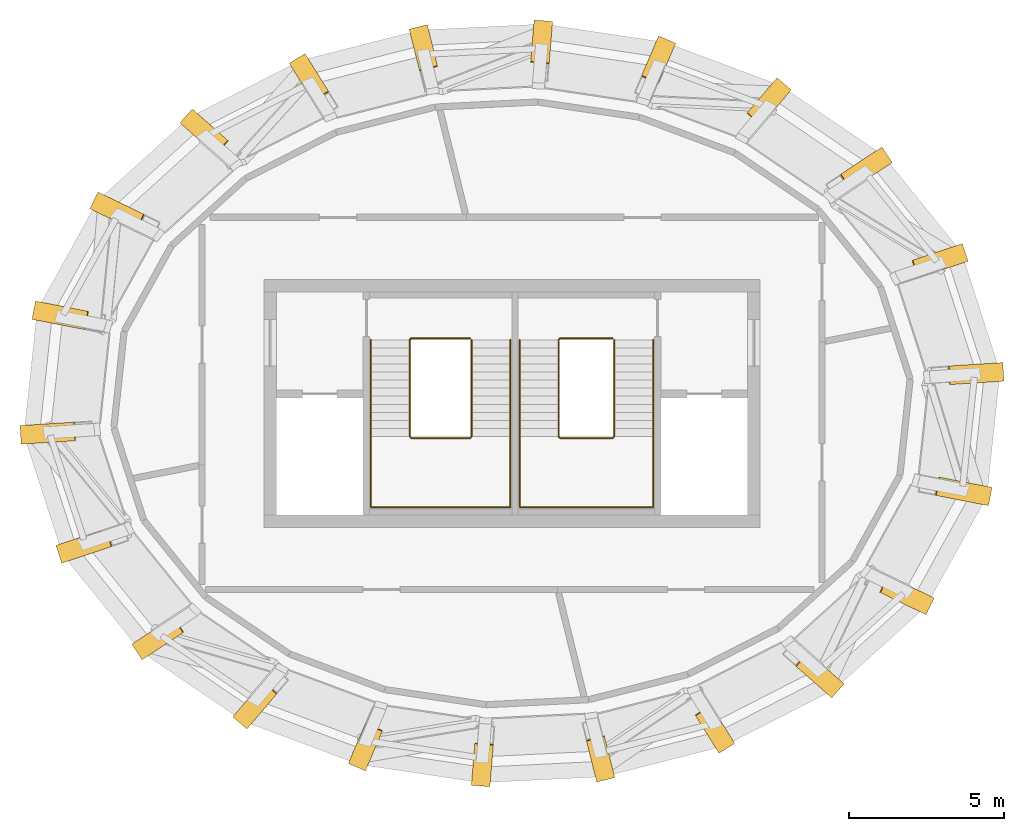
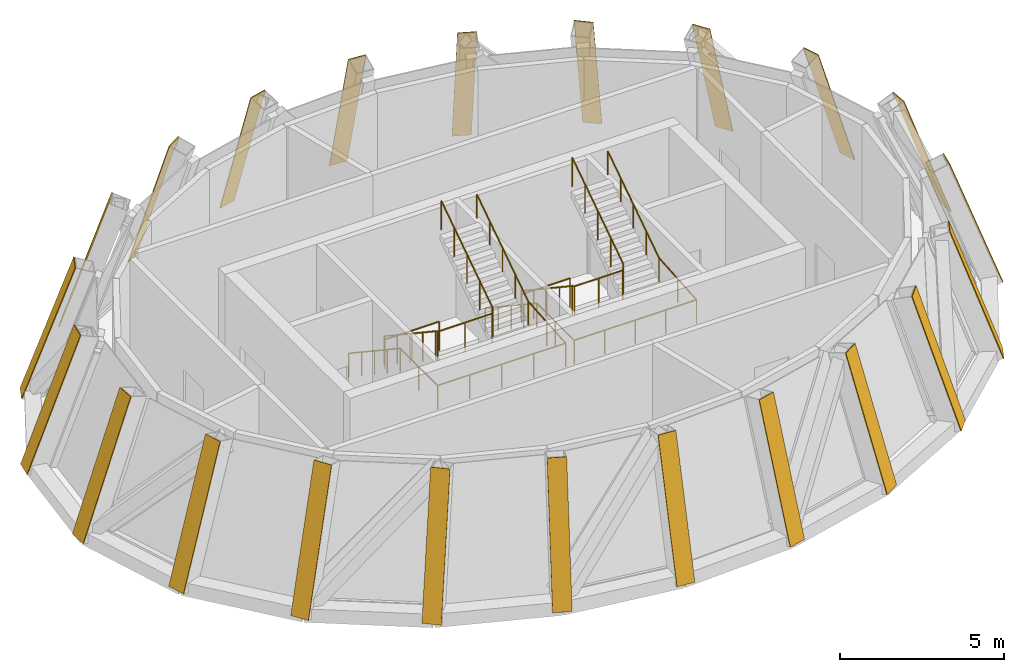
# One storey, part 6 of 6: 22 coverings, 4 railings.
"""IFC4 building model written with IfcOpenShell, lengths in metres."""

from ifc_helpers import new_model, si_unit, direction, frame, origin, origin_2d, place, context, subcontext, project, spatial, polyline, circle, outline, extrude, source, transform, mapped, material, layer, layer_set, type_object, element, save


model = new_model("IFC4")

# Units and contexts
model_context = context("Model", 3, precision=1e-05, world=origin(), true_north=direction((0.0, 1.0)))
body_context = subcontext(model_context, "Body", "Model", "MODEL_VIEW")
ifc_project = project(units=[si_unit("LENGTHUNIT", "METRE"), si_unit("AREAUNIT", "SQUARE_METRE"), si_unit("VOLUMEUNIT", "CUBIC_METRE"), si_unit("PLANEANGLEUNIT", "RADIAN"), si_unit("MASSUNIT", "GRAM", prefix="KILO")], contexts=[model_context])

# Site, building, storey
site_placement = place(None, origin())
site = spatial("IfcSite", under=ifc_project, at=site_placement, CompositionType="ELEMENT")
building_placement = place(site_placement, origin())
building = spatial("IfcBuilding", under=site, at=building_placement, Name="Embergate Tower", CompositionType="ELEMENT")
storey_placement = place(building_placement, frame((0.0, 0.0, 365.5)))
storey = spatial("IfcBuildingStorey", under=building, at=storey_placement, Name="L83", CompositionType="ELEMENT", Elevation=365.5)

# Coverings
ifc_material_1 = material(Name="Terracotta, extruded and fired", Category="masonry")
ifc_layer = layer(ifc_material_1, 0.030029296875)
ifc_layer_set = layer_set([ifc_layer], Name="Terracotta, extruded and fired")
covering_type = type_object("IfcCoveringType", Name="Terracotta hip facing", PredefinedType="CLADDING", material=ifc_layer_set)
shared_shape_1 = source(origin(), body_context, "Body", "SweptSolid", [
    extrude(outline(polyline([(0.0, 0.0), (4.985107421875, 0.0), (4.98486328125, -0.60009765625), (0.0, -0.60009765625), (0.0, 0.0)])), origin(), (0.0, 0.0, -1.0), 0.030029296875),
])
for number, where, z_axis, x_axis, name in (
    (1, (5.2802734375, 11.616943359375, -0.05224609375), (0.376708310402, 0.88354511392, 0.278278422702), (-0.109116612669, -0.255993058538, 0.960500452275), "Hip facing L83-HP04"),
    (2, (-5.2802734375, -11.616943359375, -0.05224609375), (-0.376708310402, -0.88354511392, 0.278278422702), (0.109116612669, 0.255993058538, 0.960500452275), "Hip facing L83-HP15"),
):
    element("IfcCovering", number, at=place(storey_placement, frame(where, z_axis=z_axis, x_axis=x_axis)), inside=storey, type_object=covering_type, Name=name, PredefinedType="CLADDING", context=body_context, shape_type="MappedRepresentation", body=[
        mapped(shared_shape_1, transform((0.0, 0.0, 0.0))),
    ])
shared_shape_2 = source(origin(), body_context, "Body", "SweptSolid", [
    extrude(outline(polyline([(0.0, 0.0), (4.9736328125, 0.0), (4.9736328125, -0.599853515625), (0.0, -0.60009765625), (0.0, 0.0)])), origin(), (0.0, 0.0, -1.0), 0.030029296875),
])
for number, where, z_axis, x_axis, name in (
    (3, (1.309814453125, 12.31640625, -0.0546875), (0.077954903001, 0.959550426637, 0.270529133067), (-0.021942127918, -0.269637823913, 0.962711788095), "Hip facing L83-HP05"),
    (4, (-1.309814453125, -12.31640625, -0.0546875), (-0.077954903001, -0.959550426637, 0.270529133067), (0.021942127918, 0.269637823913, 0.962711788095), "Hip facing L83-HP16"),
):
    element("IfcCovering", number, at=place(storey_placement, frame(where, z_axis=z_axis, x_axis=x_axis)), inside=storey, type_object=covering_type, Name=name, PredefinedType="CLADDING", context=body_context, shape_type="MappedRepresentation", body=[
        mapped(shared_shape_2, transform((0.0, 0.0, 0.0))),
    ])
shared_shape_3 = source(origin(), body_context, "Body", "SweptSolid", [
    extrude(outline(polyline([(0.0, 0.0), (5.08154296875, 0.0), (5.08154296875, -0.599853515625), (0.0, -0.599853515625), (0.0, 0.0)])), origin(), (0.0, 0.0, -1.0), 0.030029296875),
])
for number, where, z_axis, x_axis, name in (
    (5, (-15.368408203125, 3.2998046875, -0.029296875), (-0.923686792783, 0.179988719987, 0.338240697603), (0.33199173193, -0.064716767425, 0.94105963145), "Hip facing L83-HP10"),
    (6, (15.368408203125, -3.2998046875, -0.029296875), (0.923686792783, -0.179988719987, 0.338240697603), (-0.33199173193, 0.064716767425, 0.94105963145), "Hip facing L83-HP21"),
):
    element("IfcCovering", number, at=place(storey_placement, frame(where, z_axis=z_axis, x_axis=x_axis)), inside=storey, type_object=covering_type, Name=name, PredefinedType="CLADDING", context=body_context, shape_type="MappedRepresentation", body=[
        mapped(shared_shape_3, transform((0.0, 0.0, 0.0))),
    ])
shared_shape_4 = source(origin(), body_context, "Body", "SweptSolid", [
    extrude(outline(polyline([(0.0, 0.0), (5.039306640625, 0.0), (5.039306640625, -0.599853515625), (0.0, -0.599853515625), (0.0, 0.0)])), origin(), (0.0, 0.0, -1.0), 0.030029296875),
])
for number, where, z_axis, x_axis, name in (
    (7, (12.262939453125, 7.76904296875, -0.038330078125), (0.791196281225, 0.524631127883, 0.314277941052), (-0.261956253646, -0.173636251723, 0.949331013537), "Hip facing L83-HP02"),
    (8, (-12.262939453125, -7.76904296875, -0.038330078125), (-0.791196281225, -0.524631127883, 0.314277941052), (0.261956253646, 0.173636251723, 0.949331013537), "Hip facing L83-HP13"),
):
    element("IfcCovering", number, at=place(storey_placement, frame(where, z_axis=z_axis, x_axis=x_axis)), inside=storey, type_object=covering_type, Name=name, PredefinedType="CLADDING", context=body_context, shape_type="MappedRepresentation", body=[
        mapped(shared_shape_4, transform((0.0, 0.0, 0.0))),
    ])
shared_shape_5 = source(origin(), body_context, "Body", "SweptSolid", [
    extrude(outline(polyline([(0.0, 0.0), (5.08740234375, 0.0), (5.08740234375, -0.599853515625), (0.0, -0.60009765625), (0.0, 0.0)])), origin(), (0.0, 0.0, -1.0), 0.030029296875),
])
for number, where, z_axis, x_axis, name in (
    (9, (15.86865234375, 0.71728515625, -0.0283203125), (0.9380274958, 0.060049058854, 0.341318806476), (-0.340622757818, -0.021786803687, 0.93994759005), "Hip facing L83-HP00"),
    (10, (-15.86865234375, -0.71728515625, -0.0283203125), (-0.9380274958, -0.060049058854, 0.341318806476), (0.340622757818, 0.021786803687, 0.93994759005), "Hip facing L83-HP11"),
):
    element("IfcCovering", number, at=place(storey_placement, frame(where, z_axis=z_axis, x_axis=x_axis)), inside=storey, type_object=covering_type, Name=name, PredefinedType="CLADDING", context=body_context, shape_type="MappedRepresentation", body=[
        mapped(shared_shape_5, transform((0.0, 0.0, 0.0))),
    ])
shared_shape_6 = source(origin(), body_context, "Body", "SweptSolid", [
    extrude(outline(polyline([(0.0, 0.0), (5.0693359375, 0.0), (5.0693359375, -0.599853515625), (0.0, -0.599853515625), (0.0, 0.0)])), origin(), (0.0, 0.0, -1.0), 0.030029296875),
])
for number, where, z_axis, x_axis, name in (
    (11, (14.711181640625, 4.5830078125, -0.031494140625), (0.894787386122, 0.298646326213, 0.331912496717), (-0.314822006097, -0.105133308752, 0.943310177973), "Hip facing L83-HP01"),
    (12, (-14.711181640625, -4.5830078125, -0.031494140625), (-0.894787386122, -0.298646326213, 0.331912496717), (0.314822006097, 0.105133308752, 0.943310177973), "Hip facing L83-HP12"),
):
    element("IfcCovering", number, at=place(storey_placement, frame(where, z_axis=z_axis, x_axis=x_axis)), inside=storey, type_object=covering_type, Name=name, PredefinedType="CLADDING", context=body_context, shape_type="MappedRepresentation", body=[
        mapped(shared_shape_6, transform((0.0, 0.0, 0.0))),
    ])
shared_shape_7 = source(origin(), body_context, "Body", "SweptSolid", [
    extrude(outline(polyline([(0.0, 0.0), (5.00830078125, 0.0), (5.00830078125, -0.60009765625), (0.0, -0.599853515625), (0.0, 0.0)])), origin(), (0.0, 0.0, -1.0), 0.030029296875),
])
for number, where, z_axis, x_axis, name in (
    (13, (9.005859375, 10.111572265625, -0.045654296875), (0.619589115498, 0.727487439659, 0.29473946647), (-0.191074251033, -0.22441476189, 0.955577650031), "Hip facing L83-HP03"),
    (14, (-9.005859375, -10.111572265625, -0.045654296875), (-0.619589115498, -0.727487439659, 0.29473946647), (0.191074251033, 0.22441476189, 0.955577650031), "Hip facing L83-HP14"),
):
    element("IfcCovering", number, at=place(storey_placement, frame(where, z_axis=z_axis, x_axis=x_axis)), inside=storey, type_object=covering_type, Name=name, PredefinedType="CLADDING", context=body_context, shape_type="MappedRepresentation", body=[
        mapped(shared_shape_7, transform((0.0, 0.0, 0.0))),
    ])
shared_shape_8 = source(origin(), body_context, "Body", "SweptSolid", [
    extrude(outline(polyline([(0.0, 0.0), (4.977783203125, 0.0), (4.977783203125, -0.60009765625), (0.0, -0.599853515625), (0.0, 0.0)])), origin(), (0.0, 0.0, -1.0), 0.030029296875),
])
for number, where, z_axis, x_axis, name in (
    (15, (-2.732666015625, 12.21240234375, -0.0537109375), (-0.232509082287, 0.933363479316, 0.273444952656), (0.066112403375, -0.265332418805, 0.961887653342), "Hip facing L83-HP06"),
    (16, (2.732666015625, -12.21240234375, -0.0537109375), (0.232509082287, -0.933363479316, 0.273444952656), (-0.066112403375, 0.265332418805, 0.961887653342), "Hip facing L83-HP17"),
):
    element("IfcCovering", number, at=place(storey_placement, frame(where, z_axis=z_axis, x_axis=x_axis)), inside=storey, type_object=covering_type, Name=name, PredefinedType="CLADDING", context=body_context, shape_type="MappedRepresentation", body=[
        mapped(shared_shape_8, transform((0.0, 0.0, 0.0))),
    ])
shared_shape_9 = source(origin(), body_context, "Body", "SweptSolid", [
    extrude(outline(polyline([(0.0, 0.0), (4.996337890625, 0.0), (4.996337890625, -0.60009765625), (0.0, -0.60009765625), (0.0, 0.0)])), origin(), (0.0, 0.0, -1.0), 0.030029296875),
])
for number, where, z_axis, x_axis, name in (
    (17, (-6.677001953125, 11.2841796875, -0.0498046875), (-0.507444962052, 0.81292565953, 0.285747235446), (0.151318347136, -0.24239274015, 0.958305023123), "Hip facing L83-HP07"),
    (18, (6.677001953125, -11.2841796875, -0.0498046875), (0.507444962052, -0.81292565953, 0.285747235446), (-0.151318347136, 0.24239274015, 0.958305023123), "Hip facing L83-HP18"),
):
    element("IfcCovering", number, at=place(storey_placement, frame(where, z_axis=z_axis, x_axis=x_axis)), inside=storey, type_object=covering_type, Name=name, PredefinedType="CLADDING", context=body_context, shape_type="MappedRepresentation", body=[
        mapped(shared_shape_9, transform((0.0, 0.0, 0.0))),
    ])
shared_shape_10 = source(origin(), body_context, "Body", "SweptSolid", [
    extrude(outline(polyline([(0.0, 0.0), (5.02392578125, 0.0), (5.02392578125, -0.60009765625), (0.0, -0.599853515625), (0.0, 0.0)])), origin(), (0.0, 0.0, -1.0), 0.030029296875),
])
for number, where, z_axis, x_axis, name in (
    (19, (-10.313232421875, 9.496826171875, -0.04248046875), (-0.714251359489, 0.630324401915, 0.304197540783), (0.228117268886, -0.201242783596, 0.95260897208), "Hip facing L83-HP08"),
    (20, (10.313232421875, -9.496826171875, -0.04248046875), (0.714251359489, -0.630324401915, 0.304197540783), (-0.228117268886, 0.201242783596, 0.95260897208), "Hip facing L83-HP19"),
):
    element("IfcCovering", number, at=place(storey_placement, frame(where, z_axis=z_axis, x_axis=x_axis)), inside=storey, type_object=covering_type, Name=name, PredefinedType="CLADDING", context=body_context, shape_type="MappedRepresentation", body=[
        mapped(shared_shape_10, transform((0.0, 0.0, 0.0))),
    ])
shared_shape_11 = source(origin(), body_context, "Body", "SweptSolid", [
    extrude(outline(polyline([(0.0, 0.0), (5.056396484375, 0.0), (5.056396484375, -0.60009765625), (0.0, -0.599853515625), (0.0, 0.0)])), origin(), (0.0, 0.0, -1.0), 0.030029296875),
])
for number, where, z_axis, x_axis, name in (
    (21, (-13.35498046875, 6.817138671875, -0.03515625), (-0.85113652659, 0.413150641498, 0.323841258233), (0.291350967488, -0.141378130762, 0.946111429952), "Hip facing L83-HP09"),
    (22, (13.35498046875, -6.817138671875, -0.03515625), (0.85113652659, -0.413150641498, 0.323841258233), (-0.291350967488, 0.141378130762, 0.946111429952), "Hip facing L83-HP20"),
):
    element("IfcCovering", number, at=place(storey_placement, frame(where, z_axis=z_axis, x_axis=x_axis)), inside=storey, type_object=covering_type, Name=name, PredefinedType="CLADDING", context=body_context, shape_type="MappedRepresentation", body=[
        mapped(shared_shape_11, transform((0.0, 0.0, 0.0))),
    ])

# Railings
ifc_material_2 = material(Name="Stair guard 1100")
railing_type_1 = type_object("IfcRailingType", Name="Stair guard 1100", PredefinedType="GUARDRAIL", material=ifc_material_2)
shared_shape_12 = source(origin(), body_context, "Body", "SweptSolid", [
    extrude(circle(Radius=0.02392578125, at=origin_2d()), frame((0.0, 0.0, 1.076171875), z_axis=(-1.0, 0.0, 0.0), x_axis=(0.0, -1.0, 0.0)), (0.0, 0.0, 1.0), 1.699951171875),
    extrude(circle(Radius=0.02392578125, at=origin_2d()), frame((-1.699951171875, 0.0, 1.076171875), z_axis=(-0.267629722418, -0.267629722418, 0.925607186314), x_axis=(0.707106781187, -0.707106781187, 0.0)), (0.0, 0.0, 1.0), 0.18701171875),
    extrude(circle(Radius=0.02392578125, at=origin_2d()), frame((-1.75, -0.050048828125, 1.2490234375), z_axis=(0.0, -0.83244090515, 0.554113832559), x_axis=(1.0, 0.0, 0.0)), (0.0, 0.0, 1.0), 3.748046875),
    extrude(circle(Radius=0.02392578125, at=origin_2d()), frame((-1.75, -3.170166015625, 3.326171875), z_axis=(0.707106781187, -0.707106781187, 0.0), x_axis=(0.707106781187, 0.707106781187, 0.0)), (0.0, 0.0, 1.0), 0.07080078125),
    extrude(circle(Radius=0.02392578125, at=origin_2d()), frame((-1.699951171875, -3.22021484375, 3.326171875), z_axis=(1.0, 0.0, 0.0), x_axis=(0.0, 1.0, 0.0)), (0.0, 0.0, 1.0), 1.699951171875),
    extrude(circle(Radius=0.02392578125, at=origin_2d()), frame((0.0, -3.22021484375, 3.326171875), z_axis=(0.267629722418, 0.267629722418, 0.925607186314), x_axis=(-0.707106781187, 0.707106781187, 0.0)), (0.0, 0.0, 1.0), 0.18701171875),
    extrude(circle(Radius=0.02392578125, at=origin_2d()), frame((0.050048828125, -3.170166015625, 3.4990234375), z_axis=(0.0, 0.83244090515, 0.554113832559), x_axis=(-1.0, 0.0, 0.0)), (0.0, 0.0, 1.0), 3.748046875),
    extrude(circle(Radius=0.02099609375, at=origin_2d()), origin(), (0.0, 0.0, 1.0), 1.052001953125),
    extrude(circle(Radius=0.02099609375, at=origin_2d()), frame((-0.85009765625, 0.0, 0.0)), (0.0, 0.0, 1.0), 1.052001953125),
    extrude(circle(Radius=0.02099609375, at=origin_2d()), frame((-1.699951171875, 0.0, 0.0)), (0.0, 0.0, 1.0), 1.052001953125),
    extrude(circle(Radius=0.02099609375, at=origin_2d()), frame((-1.75, -0.050048828125, 0.173095703125)), (0.0, 0.0, 1.0), 1.052001953125),
    extrude(circle(Radius=0.02099609375, at=origin_2d()), frame((-1.75, -0.830078125, 0.6923828125)), (0.0, 0.0, 1.0), 1.052001953125),
    extrude(circle(Radius=0.02099609375, at=origin_2d()), frame((-1.75, -1.610107421875, 1.21142578125)), (0.0, 0.0, 1.0), 1.052001953125),
    extrude(circle(Radius=0.02099609375, at=origin_2d()), frame((-1.75, -2.39013671875, 1.730712890625)), (0.0, 0.0, 1.0), 1.052001953125),
    extrude(circle(Radius=0.02099609375, at=origin_2d()), frame((-1.75, -3.170166015625, 2.25)), (0.0, 0.0, 1.0), 1.052001953125),
    extrude(circle(Radius=0.02099609375, at=origin_2d()), frame((-1.699951171875, -3.22021484375, 2.25)), (0.0, 0.0, 1.0), 1.052001953125),
    extrude(circle(Radius=0.02099609375, at=origin_2d()), frame((-0.85009765625, -3.22021484375, 2.25)), (0.0, 0.0, 1.0), 1.052001953125),
    extrude(circle(Radius=0.02099609375, at=origin_2d()), frame((0.0, -3.22021484375, 2.25)), (0.0, 0.0, 1.0), 1.052001953125),
    extrude(circle(Radius=0.02099609375, at=origin_2d()), frame((0.050048828125, -3.170166015625, 2.423095703125)), (0.0, 0.0, 1.0), 1.052001953125),
    extrude(circle(Radius=0.02099609375, at=origin_2d()), frame((0.050048828125, -2.39013671875, 2.9423828125)), (0.0, 0.0, 1.0), 1.052001953125),
    extrude(circle(Radius=0.02099609375, at=origin_2d()), frame((0.050048828125, -1.610107421875, 3.46142578125)), (0.0, 0.0, 1.0), 1.052001953125),
    extrude(circle(Radius=0.02099609375, at=origin_2d()), frame((0.050048828125, -0.830078125, 3.980712890625)), (0.0, 0.0, 1.0), 1.052001953125),
    extrude(circle(Radius=0.02099609375, at=origin_2d()), frame((0.050048828125, -0.050048828125, 4.5)), (0.0, 0.0, 1.0), 1.052001953125),
])
railing_1_placement = place(storey_placement, frame((3.25, 2.10009765625, 0.0)))
element("IfcRailing", 23, at=railing_1_placement, inside=storey, type_object=railing_type_1, Name="L83 ST1 stair guard 1", PredefinedType="GUARDRAIL", context=body_context, shape_type="MappedRepresentation", body=[
    mapped(shared_shape_12, transform((0.0, 0.0, 0.0))),
])
ifc_material_3 = material(Name="Stair handrail 900")
railing_type_2 = type_object("IfcRailingType", Name="Stair handrail 900", PredefinedType="HANDRAIL", material=ifc_material_3)
shared_shape_13 = source(origin(), body_context, "Body", "SweptSolid", [
    extrude(circle(Radius=0.02392578125, at=origin_2d()), frame((0.0, 0.0, 0.8759765625), z_axis=(0.0, -0.83244090515, 0.554113832559), x_axis=(1.0, 0.0, 0.0)), (0.0, 0.0, 1.0), 3.748046875),
    extrude(circle(Radius=0.02392578125, at=origin_2d()), frame((0.0, -3.1201171875, 2.95263671875), z_axis=(0.0, -1.0, 0.0), x_axis=(1.0, 0.0, 0.0)), (0.0, 0.0, 1.0), 2.280029296875),
    extrude(circle(Radius=0.02392578125, at=origin_2d()), frame((0.0, -5.400146484375, 2.95263671875), z_axis=(1.0, 0.0, 0.0), x_axis=(0.0, 1.0, 0.0)), (0.0, 0.0, 1.0), 4.300048828125),
    extrude(circle(Radius=0.02392578125, at=origin_2d()), frame((4.300048828125, -5.400146484375, 2.95263671875), z_axis=(0.0, 0.997130611527, 0.075700353739), x_axis=(-1.0, 0.0, 0.0)), (0.0, 0.0, 1.0), 2.28662109375),
    extrude(circle(Radius=0.02392578125, at=origin_2d()), frame((4.300048828125, -3.1201171875, 3.1259765625), z_axis=(0.0, 0.83244090515, 0.554113832559), x_axis=(-1.0, 0.0, 0.0)), (0.0, 0.0, 1.0), 3.748046875),
    extrude(circle(Radius=0.02099609375, at=origin_2d()), origin(), (0.0, 0.0, 1.0), 0.851806640625),
    extrude(circle(Radius=0.02099609375, at=origin_2d()), frame((0.0, -0.780029296875, 0.519287109375)), (0.0, 0.0, 1.0), 0.851806640625),
    extrude(circle(Radius=0.02099609375, at=origin_2d()), frame((0.0, -1.56005859375, 1.03857421875)), (0.0, 0.0, 1.0), 0.851806640625),
    extrude(circle(Radius=0.02099609375, at=origin_2d()), frame((0.0, -2.340087890625, 1.5576171875)), (0.0, 0.0, 1.0), 0.851806640625),
    extrude(circle(Radius=0.02099609375, at=origin_2d()), frame((0.0, -3.1201171875, 2.076904296875)), (0.0, 0.0, 1.0), 0.851806640625),
    extrude(circle(Radius=0.02099609375, at=origin_2d()), frame((0.0, -4.26025390625, 2.076904296875)), (0.0, 0.0, 1.0), 0.851806640625),
    extrude(circle(Radius=0.02099609375, at=origin_2d()), frame((0.0, -5.400146484375, 2.076904296875)), (0.0, 0.0, 1.0), 0.851806640625),
    extrude(circle(Radius=0.02099609375, at=origin_2d()), frame((1.074951171875, -5.400146484375, 2.076904296875)), (0.0, 0.0, 1.0), 0.851806640625),
    extrude(circle(Radius=0.02099609375, at=origin_2d()), frame((2.14990234375, -5.400146484375, 2.076904296875)), (0.0, 0.0, 1.0), 0.851806640625),
    extrude(circle(Radius=0.02099609375, at=origin_2d()), frame((3.22509765625, -5.400146484375, 2.076904296875)), (0.0, 0.0, 1.0), 0.851806640625),
    extrude(circle(Radius=0.02099609375, at=origin_2d()), frame((4.300048828125, -5.400146484375, 2.076904296875)), (0.0, 0.0, 1.0), 0.851806640625),
    extrude(circle(Radius=0.02099609375, at=origin_2d()), frame((4.300048828125, -4.26025390625, 2.16357421875)), (0.0, 0.0, 1.0), 0.851806640625),
    extrude(circle(Radius=0.02099609375, at=origin_2d()), frame((4.300048828125, -3.1201171875, 2.25)), (0.0, 0.0, 1.0), 0.851806640625),
    extrude(circle(Radius=0.02099609375, at=origin_2d()), frame((4.300048828125, -2.340087890625, 2.769287109375)), (0.0, 0.0, 1.0), 0.851806640625),
    extrude(circle(Radius=0.02099609375, at=origin_2d()), frame((4.300048828125, -1.56005859375, 3.28857421875)), (0.0, 0.0, 1.0), 0.851806640625),
    extrude(circle(Radius=0.02099609375, at=origin_2d()), frame((4.300048828125, -0.780029296875, 3.8076171875)), (0.0, 0.0, 1.0), 0.851806640625),
    extrude(circle(Radius=0.02099609375, at=origin_2d()), frame((4.300048828125, 0.0, 4.326904296875)), (0.0, 0.0, 1.0), 0.851806640625),
])
railing_2_placement = place(storey_placement, frame((0.25, 2.050048828125, 0.173095703125)))
element("IfcRailing", 24, at=railing_2_placement, inside=storey, type_object=railing_type_2, Name="L83 ST1 stair handrail 1", PredefinedType="HANDRAIL", context=body_context, shape_type="MappedRepresentation", body=[
    mapped(shared_shape_13, transform((0.0, 0.0, 0.0))),
])
shared_shape_14 = source(origin(), body_context, "Body", "SweptSolid", [
    extrude(circle(Radius=0.02392578125, at=origin_2d()), frame((0.0, 0.0, 1.076171875), z_axis=(-1.0, 0.0, 0.0), x_axis=(0.0, -1.0, 0.0)), (0.0, 0.0, 1.0), 1.89990234375),
    extrude(circle(Radius=0.02392578125, at=origin_2d()), frame((-1.89990234375, 0.0, 1.076171875), z_axis=(-0.267629722418, -0.267629722418, 0.925607186314), x_axis=(0.707106781187, -0.707106781187, 0.0)), (0.0, 0.0, 1.0), 0.18701171875),
    extrude(circle(Radius=0.02392578125, at=origin_2d()), frame((-1.949951171875, -0.050048828125, 1.2490234375), z_axis=(0.0, -0.83244090515, 0.554113832559), x_axis=(1.0, 0.0, 0.0)), (0.0, 0.0, 1.0), 3.748046875),
    extrude(circle(Radius=0.02392578125, at=origin_2d()), frame((-1.949951171875, -3.170166015625, 3.326171875), z_axis=(0.707106781187, -0.707106781187, 0.0), x_axis=(0.707106781187, 0.707106781187, 0.0)), (0.0, 0.0, 1.0), 0.07080078125),
    extrude(circle(Radius=0.02392578125, at=origin_2d()), frame((-1.89990234375, -3.22021484375, 3.326171875), z_axis=(1.0, 0.0, 0.0), x_axis=(0.0, 1.0, 0.0)), (0.0, 0.0, 1.0), 1.89990234375),
    extrude(circle(Radius=0.02392578125, at=origin_2d()), frame((0.0, -3.22021484375, 3.326171875), z_axis=(0.267629722418, 0.267629722418, 0.925607186314), x_axis=(-0.707106781187, 0.707106781187, 0.0)), (0.0, 0.0, 1.0), 0.18701171875),
    extrude(circle(Radius=0.02392578125, at=origin_2d()), frame((0.050048828125, -3.170166015625, 3.4990234375), z_axis=(0.0, 0.83244090515, 0.554113832559), x_axis=(-1.0, 0.0, 0.0)), (0.0, 0.0, 1.0), 3.748046875),
    extrude(circle(Radius=0.02099609375, at=origin_2d()), origin(), (0.0, 0.0, 1.0), 1.052001953125),
    extrude(circle(Radius=0.02099609375, at=origin_2d()), frame((-0.949951171875, 0.0, 0.0)), (0.0, 0.0, 1.0), 1.052001953125),
    extrude(circle(Radius=0.02099609375, at=origin_2d()), frame((-1.89990234375, 0.0, 0.0)), (0.0, 0.0, 1.0), 1.052001953125),
    extrude(circle(Radius=0.02099609375, at=origin_2d()), frame((-1.949951171875, -0.050048828125, 0.173095703125)), (0.0, 0.0, 1.0), 1.052001953125),
    extrude(circle(Radius=0.02099609375, at=origin_2d()), frame((-1.949951171875, -0.830078125, 0.6923828125)), (0.0, 0.0, 1.0), 1.052001953125),
    extrude(circle(Radius=0.02099609375, at=origin_2d()), frame((-1.949951171875, -1.610107421875, 1.21142578125)), (0.0, 0.0, 1.0), 1.052001953125),
    extrude(circle(Radius=0.02099609375, at=origin_2d()), frame((-1.949951171875, -2.39013671875, 1.730712890625)), (0.0, 0.0, 1.0), 1.052001953125),
    extrude(circle(Radius=0.02099609375, at=origin_2d()), frame((-1.949951171875, -3.170166015625, 2.25)), (0.0, 0.0, 1.0), 1.052001953125),
    extrude(circle(Radius=0.02099609375, at=origin_2d()), frame((-1.89990234375, -3.22021484375, 2.25)), (0.0, 0.0, 1.0), 1.052001953125),
    extrude(circle(Radius=0.02099609375, at=origin_2d()), frame((-0.949951171875, -3.22021484375, 2.25)), (0.0, 0.0, 1.0), 1.052001953125),
    extrude(circle(Radius=0.02099609375, at=origin_2d()), frame((0.0, -3.22021484375, 2.25)), (0.0, 0.0, 1.0), 1.052001953125),
    extrude(circle(Radius=0.02099609375, at=origin_2d()), frame((0.050048828125, -3.170166015625, 2.423095703125)), (0.0, 0.0, 1.0), 1.052001953125),
    extrude(circle(Radius=0.02099609375, at=origin_2d()), frame((0.050048828125, -2.39013671875, 2.9423828125)), (0.0, 0.0, 1.0), 1.052001953125),
    extrude(circle(Radius=0.02099609375, at=origin_2d()), frame((0.050048828125, -1.610107421875, 3.46142578125)), (0.0, 0.0, 1.0), 1.052001953125),
    extrude(circle(Radius=0.02099609375, at=origin_2d()), frame((0.050048828125, -0.830078125, 3.980712890625)), (0.0, 0.0, 1.0), 1.052001953125),
    extrude(circle(Radius=0.02099609375, at=origin_2d()), frame((0.050048828125, -0.050048828125, 4.5)), (0.0, 0.0, 1.0), 1.052001953125),
])
railing_3_placement = place(storey_placement, frame((-1.35009765625, 2.10009765625, 0.0)))
element("IfcRailing", 25, at=railing_3_placement, inside=storey, type_object=railing_type_1, Name="L83 ST3 stair guard 1", PredefinedType="GUARDRAIL", context=body_context, shape_type="MappedRepresentation", body=[
    mapped(shared_shape_14, transform((0.0, 0.0, 0.0))),
])
shared_shape_15 = source(origin(), body_context, "Body", "SweptSolid", [
    extrude(circle(Radius=0.02392578125, at=origin_2d()), frame((0.0, 0.0, 0.8759765625), z_axis=(0.0, -0.83244090515, 0.554113832559), x_axis=(1.0, 0.0, 0.0)), (0.0, 0.0, 1.0), 3.748046875),
    extrude(circle(Radius=0.02392578125, at=origin_2d()), frame((0.0, -3.1201171875, 2.95263671875), z_axis=(0.0, -1.0, 0.0), x_axis=(1.0, 0.0, 0.0)), (0.0, 0.0, 1.0), 2.280029296875),
    extrude(circle(Radius=0.02392578125, at=origin_2d()), frame((0.0, -5.400146484375, 2.95263671875), z_axis=(1.0, 0.0, 0.0), x_axis=(0.0, 1.0, 0.0)), (0.0, 0.0, 1.0), 4.5),
    extrude(circle(Radius=0.02392578125, at=origin_2d()), frame((4.5, -5.400146484375, 2.95263671875), z_axis=(0.0, 0.997130611527, 0.075700353739), x_axis=(-1.0, 0.0, 0.0)), (0.0, 0.0, 1.0), 2.28662109375),
    extrude(circle(Radius=0.02392578125, at=origin_2d()), frame((4.5, -3.1201171875, 3.1259765625), z_axis=(0.0, 0.83244090515, 0.554113832559), x_axis=(-1.0, 0.0, 0.0)), (0.0, 0.0, 1.0), 3.748046875),
    extrude(circle(Radius=0.02099609375, at=origin_2d()), origin(), (0.0, 0.0, 1.0), 0.851806640625),
    extrude(circle(Radius=0.02099609375, at=origin_2d()), frame((0.0, -0.780029296875, 0.519287109375)), (0.0, 0.0, 1.0), 0.851806640625),
    extrude(circle(Radius=0.02099609375, at=origin_2d()), frame((0.0, -1.56005859375, 1.03857421875)), (0.0, 0.0, 1.0), 0.851806640625),
    extrude(circle(Radius=0.02099609375, at=origin_2d()), frame((0.0, -2.340087890625, 1.5576171875)), (0.0, 0.0, 1.0), 0.851806640625),
    extrude(circle(Radius=0.02099609375, at=origin_2d()), frame((0.0, -3.1201171875, 2.076904296875)), (0.0, 0.0, 1.0), 0.851806640625),
    extrude(circle(Radius=0.02099609375, at=origin_2d()), frame((0.0, -4.26025390625, 2.076904296875)), (0.0, 0.0, 1.0), 0.851806640625),
    extrude(circle(Radius=0.02099609375, at=origin_2d()), frame((0.0, -5.400146484375, 2.076904296875)), (0.0, 0.0, 1.0), 0.851806640625),
    extrude(circle(Radius=0.02099609375, at=origin_2d()), frame((1.125, -5.400146484375, 2.076904296875)), (0.0, 0.0, 1.0), 0.851806640625),
    extrude(circle(Radius=0.02099609375, at=origin_2d()), frame((2.25, -5.400146484375, 2.076904296875)), (0.0, 0.0, 1.0), 0.851806640625),
    extrude(circle(Radius=0.02099609375, at=origin_2d()), frame((3.375, -5.400146484375, 2.076904296875)), (0.0, 0.0, 1.0), 0.851806640625),
    extrude(circle(Radius=0.02099609375, at=origin_2d()), frame((4.5, -5.400146484375, 2.076904296875)), (0.0, 0.0, 1.0), 0.851806640625),
    extrude(circle(Radius=0.02099609375, at=origin_2d()), frame((4.5, -4.26025390625, 2.16357421875)), (0.0, 0.0, 1.0), 0.851806640625),
    extrude(circle(Radius=0.02099609375, at=origin_2d()), frame((4.5, -3.1201171875, 2.25)), (0.0, 0.0, 1.0), 0.851806640625),
    extrude(circle(Radius=0.02099609375, at=origin_2d()), frame((4.5, -2.340087890625, 2.769287109375)), (0.0, 0.0, 1.0), 0.851806640625),
    extrude(circle(Radius=0.02099609375, at=origin_2d()), frame((4.5, -1.56005859375, 3.28857421875)), (0.0, 0.0, 1.0), 0.851806640625),
    extrude(circle(Radius=0.02099609375, at=origin_2d()), frame((4.5, -0.780029296875, 3.8076171875)), (0.0, 0.0, 1.0), 0.851806640625),
    extrude(circle(Radius=0.02099609375, at=origin_2d()), frame((4.5, 0.0, 4.326904296875)), (0.0, 0.0, 1.0), 0.851806640625),
])
railing_4_placement = place(storey_placement, frame((-4.550048828125, 2.050048828125, 0.173095703125)))
element("IfcRailing", 26, at=railing_4_placement, inside=storey, type_object=railing_type_2, Name="L83 ST3 stair handrail 1", PredefinedType="HANDRAIL", context=body_context, shape_type="MappedRepresentation", body=[
    mapped(shared_shape_15, transform((0.0, 0.0, 0.0))),
])

save(model, "model.ifc")
